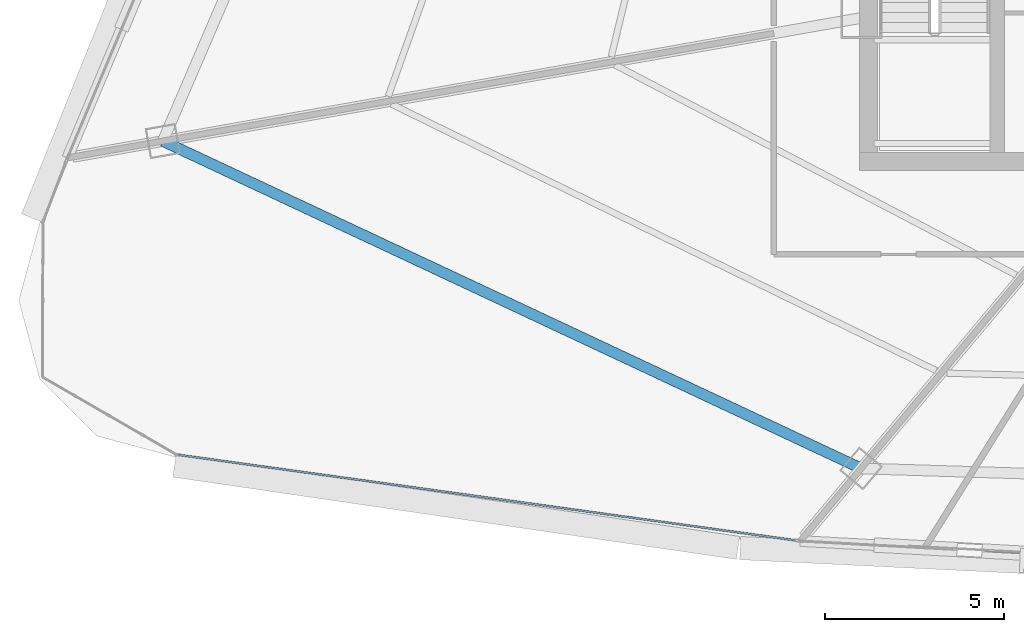
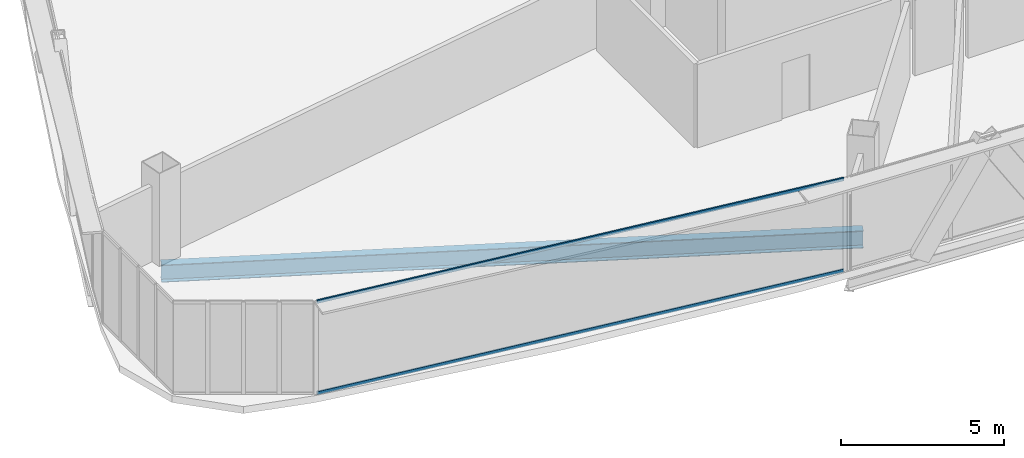
# One storey, part 3 of 36: 2 members, 1 beam, 1 element without a shape of its own.
"""IFC4 building model written with IfcOpenShell, lengths in metres."""

from ifc_helpers import new_model, si_unit, direction, frame, origin, origin_2d, place, context, subcontext, project, spatial, hollow_rectangle, i_section, extrude, source, transform, mapped, material, layer, layer_set, material_profile, profile_set, type_object, element, aggregate, save


model = new_model("IFC4")

# Units and contexts
model_context = context("Model", 3, precision=1e-05, world=origin(), true_north=direction((0.0, 1.0)))
body_context = subcontext(model_context, "Body", "Model", "MODEL_VIEW")
ifc_project = project(units=[si_unit("LENGTHUNIT", "METRE"), si_unit("AREAUNIT", "SQUARE_METRE"), si_unit("VOLUMEUNIT", "CUBIC_METRE"), si_unit("PLANEANGLEUNIT", "RADIAN"), si_unit("MASSUNIT", "GRAM", prefix="KILO"), si_unit("THERMODYNAMICTEMPERATUREUNIT", "KELVIN"), si_unit("POWERUNIT", "WATT")], contexts=[model_context])

# Site, building, storey
site_placement = place(None, origin())
site = spatial("IfcSite", under=ifc_project, at=site_placement, CompositionType="ELEMENT")
building_placement = place(site_placement, origin())
building = spatial("IfcBuilding", under=site, at=building_placement, Name="Yunzhuo Pagoda Commons", CompositionType="ELEMENT")
storey_placement = place(building_placement, frame((0.0, 0.0, 244.530029296875)))
storey = spatial("IfcBuildingStorey", under=building, at=storey_placement, Name="L61", CompositionType="ELEMENT", Elevation=244.530029296875)

# Beam
ifc_material_1 = material(Name="Structural steel Q355B", Category="steel")
ifc_material_profile_1 = material_profile(ifc_material_1, i_section(OverallWidth=0.300048828125, OverallDepth=0.64990234375, WebThickness=0.012939453125, FlangeThickness=0.02197265625, at=origin_2d()), Name="Structural steel Q355B")
ifc_profile_set_1 = profile_set([ifc_material_profile_1], Name="Structural steel Q355B")
beam_type = type_object("IfcBeamType", Name="B-RG2 Beam HN 650x300x13x22", PredefinedType="BEAM", material=ifc_profile_set_1)
shared_shape_1 = source(origin(), body_context, "Body", "SweptSolid", [
    extrude(i_section(OverallWidth=0.300048828125, OverallDepth=0.64990234375, WebThickness=0.012939453125, FlangeThickness=0.02197265625, at=origin_2d()), origin(), (0.0, 0.0, 1.0), 21.56689453125),
])
beam_placement = place(storey_placement, frame((16.06591796875, 28.069091796875, -0.5849609375), z_axis=(0.905424265365, -0.424507832304, 0.0), x_axis=(0.424507832304, 0.905424265365, 0.0)))
element("IfcBeam", 1, at=beam_placement, inside=storey, type_object=beam_type, Name="L61 column-ring beam 12", PredefinedType="BEAM", context=body_context, shape_type="MappedRepresentation", body=[
    mapped(shared_shape_1, transform((0.0, 0.0, 0.0), scale=1.0)),
])

# Curtain wall, members
ifc_material_2 = material(Name="Anodized aluminium 6063-T6", Category="aluminium")
ifc_layer = layer(ifc_material_2, 0.139892578125)
ifc_layer_set = layer_set([ifc_layer], Name="Anodized aluminium 6063-T6")
curtain_wall_type = type_object("IfcCurtainWallType", Name="CW-HI High-Zone Ribbon Curtain Wall", PredefinedType="NOTDEFINED", material=ifc_layer_set)
curtain_wall_placement = place(storey_placement, origin())
curtain_wall = element("IfcCurtainWall", 2, at=curtain_wall_placement, inside=storey, type_object=curtain_wall_type, Name="L61 curtain wall CW-L61-F1B1", PredefinedType="NOTDEFINED")
ifc_material_profile_2 = material_profile(ifc_material_2, hollow_rectangle(XDim=0.054931640625, YDim=0.1201171875, WallThickness=0.00341796875, at=origin_2d()), Name="Anodized aluminium 6063-T6")
ifc_profile_set_2 = profile_set([ifc_material_profile_2], Name="Anodized aluminium 6063-T6")
member_type = type_object("IfcMemberType", Name="CW-HI-T Transom RHS 120x55x3.5", PredefinedType="USERDEFINED", material=ifc_profile_set_2)
shared_shape_2 = source(origin(), body_context, "Body", "SweptSolid", [
    extrude(hollow_rectangle(XDim=0.054931640625, YDim=0.1201171875, WallThickness=0.00341796875, at=origin_2d()), origin(), (0.0, 0.0, 1.0), 17.41650390625),
])
member_1_placement = place(storey_placement, frame((16.50537109375, 19.29443359375, 0.027587890625), z_axis=(0.990534830661, -0.137261608789, 0.0), x_axis=(0.137261608789, 0.990534830661, 0.0)))
member_1 = element("IfcMember", 3, at=member_1_placement, type_object=member_type, Name="CW transom 1.1", ObjectType="TRANSOM", PredefinedType="USERDEFINED", context=body_context, shape_type="MappedRepresentation", body=[
    mapped(shared_shape_2, transform((0.0, 0.0, 0.0), scale=1.0)),
])
member_2_placement = place(storey_placement, frame((16.50537109375, 19.29443359375, 3.4423828125), z_axis=(0.990534830661, -0.137261608789, 0.0), x_axis=(0.137261608789, 0.990534830661, 0.0)))
member_2 = element("IfcMember", 4, at=member_2_placement, type_object=member_type, Name="CW transom 1.2", ObjectType="TRANSOM", PredefinedType="USERDEFINED", context=body_context, shape_type="MappedRepresentation", body=[
    mapped(shared_shape_2, transform((0.0, 0.0, 0.0), scale=1.0)),
])
aggregate(curtain_wall, [member_1, member_2])

save(model, "model.ifc")
